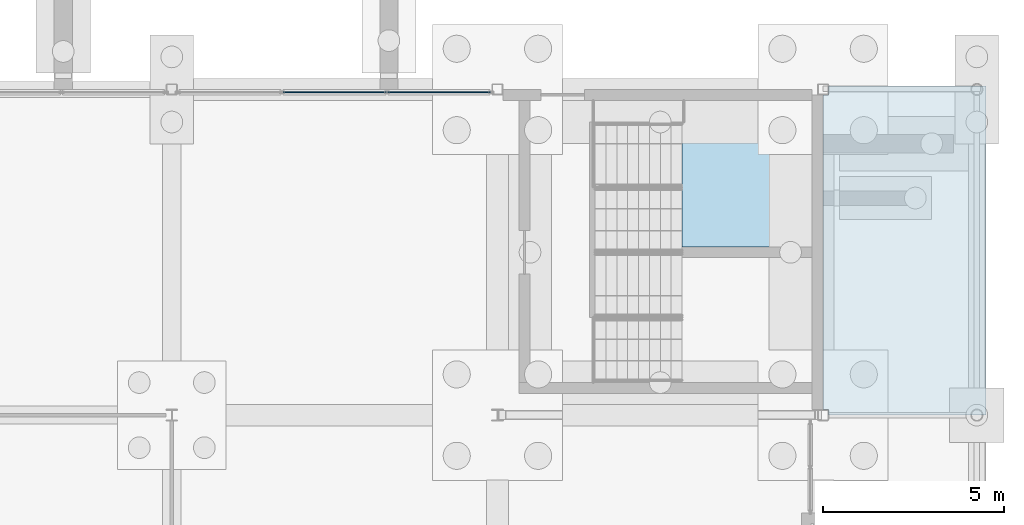
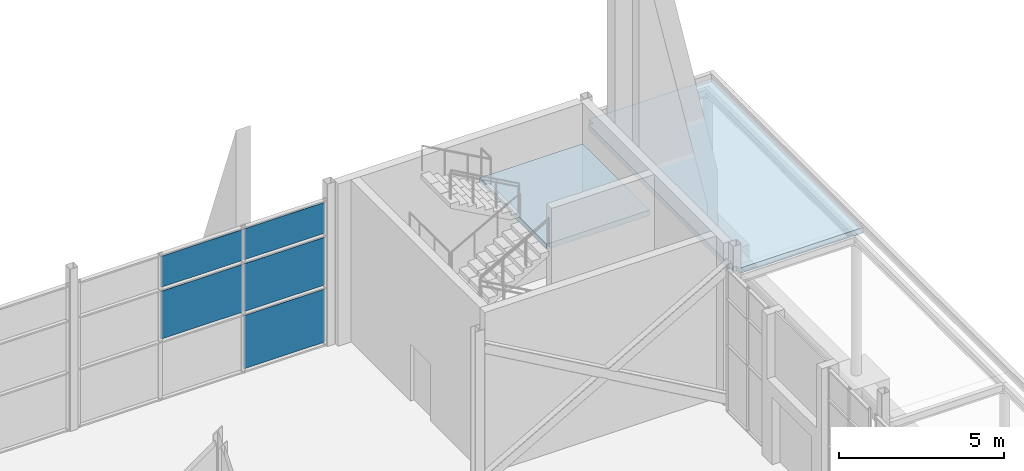
# One storey, part 96 of 139: 5 plates, 2 slabs, 2 elements without a shape of their own.
"""IFC4 building model written with IfcOpenShell, lengths in metres."""

from ifc_helpers import new_model, si_unit, direction, frame, origin, origin_2d, place, context, subcontext, project, spatial, polyline, rectangle, outline, extrude, material, layer, layer_set, type_object, element, aggregate, save


model = new_model("IFC4")

# Units and contexts
model_context = context("Model", 3, precision=1e-05, world=origin(), true_north=direction((0.0, 1.0)))
body_context = subcontext(model_context, "Body", "Model", "MODEL_VIEW")
ifc_project = project(units=[si_unit("LENGTHUNIT", "METRE"), si_unit("AREAUNIT", "SQUARE_METRE"), si_unit("VOLUMEUNIT", "CUBIC_METRE"), si_unit("PLANEANGLEUNIT", "RADIAN"), si_unit("MASSUNIT", "GRAM", prefix="KILO")], contexts=[model_context])

# Site, building, storey
site_placement = place(None, origin())
site = spatial("IfcSite", under=ifc_project, at=site_placement, CompositionType="ELEMENT")
building_placement = place(site_placement, origin())
building = spatial("IfcBuilding", under=site, at=building_placement, Name="Shorebreak Coast Museum", CompositionType="ELEMENT")
storey_placement = place(building_placement, origin())
storey = spatial("IfcBuildingStorey", under=building, at=storey_placement, Name="L00", CompositionType="ELEMENT", Elevation=0.0)

# Slab
ifc_material_1 = material(Name="Concrete N50 (50 MPa)", Category="concrete")
ifc_layer_1 = layer(ifc_material_1, 0.199951171875)
ifc_layer_set_1 = layer_set([ifc_layer_1], Name="Concrete N50 (50 MPa)")
slab_type_1 = type_object("IfcSlabType", Name="Arcade roof slab 200 concrete N50", PredefinedType="ROOF", material=ifc_layer_set_1)
slab_1_placement = place(storey_placement, frame((0.0, 0.0, 4.800048828125)))
element("IfcSlab", 1, at=slab_1_placement, inside=storey, type_object=slab_type_1, Name="Arcade roof slab east 4", PredefinedType="ROOF", context=body_context, shape_type="SweptSolid", body=[
    extrude(outline(polyline([(175.5, 81.0), (175.5, 90.10009765625), (171.14990234375, 90.10009765625), (171.14990234375, 89.85009765625), (171.0, 89.85009765625), (171.0, 81.14990234375), (171.14990234375, 81.14990234375), (171.14990234375, 81.0), (175.5, 81.0)])), origin(), (0.0, 0.0, 1.0), 0.199951171875),
])

# Stair, slab
ifc_material_2 = material(Name="Concrete N40 (40 MPa)", Category="concrete")
stair_type = type_object("IfcStairType", Name="Stair run 6 m", PredefinedType="DOUBLE_RETURN_STAIR", material=ifc_material_2)
stair_placement = place(storey_placement, origin())
stair = element("IfcStair", 2, at=stair_placement, inside=storey, type_object=stair_type, Name="Exit stair ST08-L00", PredefinedType="DOUBLE_RETURN_STAIR")
ifc_material_3 = material(Name="Concrete N40 (40 MPa)", Category="concrete")
ifc_layer_2 = layer(ifc_material_3, 0.199951171875)
ifc_layer_set_2 = layer_set([ifc_layer_2], Name="Concrete N40 (40 MPa)")
slab_type_2 = type_object("IfcSlabType", Name="Stair landing 200", PredefinedType="LANDING", material=ifc_layer_set_2)
slab_2_placement = place(storey_placement, frame((0.0, 0.0, 4.300048828125)))
slab_2 = element("IfcSlab", 3, at=slab_2_placement, type_object=slab_type_2, Name="ST08-L00 landing 3", PredefinedType="LANDING", context=body_context, shape_type="SweptSolid", body=[
    extrude(outline(polyline([(167.10009765625, 85.64990234375), (170.699951171875, 85.64990234375), (170.699951171875, 89.699951171875), (167.10009765625, 89.699951171875), (167.10009765625, 85.64990234375)])), origin(), (0.0, 0.0, 1.0), 0.199951171875),
])
aggregate(stair, [slab_2])

# Curtain wall, plates
ifc_material_4 = material(Name="Aluminium", Category="aluminium")
ifc_layer_3 = layer(ifc_material_4, 0.14990234375)
ifc_layer_set_3 = layer_set([ifc_layer_3], Name="Aluminium")
curtain_wall_type = type_object("IfcCurtainWallType", Name="Storefront curtain wall", PredefinedType="NOTDEFINED", material=ifc_layer_set_3)
curtain_wall_placement = place(storey_placement, origin())
curtain_wall = element("IfcCurtainWall", 4, at=curtain_wall_placement, inside=storey, type_object=curtain_wall_type, Name="Storefront L00 N 6", PredefinedType="NOTDEFINED")
ifc_material_5 = material(Name="Glass", Category="glass")
ifc_layer_4 = layer(ifc_material_5, 0.031982421875)
ifc_layer_set_4 = layer_set([ifc_layer_4], Name="Glass")
plate_type = type_object("IfcPlateType", Name="Storefront glass panel 32", PredefinedType="CURTAIN_PANEL", material=ifc_layer_set_4)
plate_1_placement = place(storey_placement, frame((157.5, 89.925048828125, 2.262939453125), z_axis=(0.0, 0.0, 1.0), x_axis=(1.0, 0.0, 0.0)))
plate_1 = element("IfcPlate", 5, at=plate_1_placement, type_object=plate_type, Name="CW8 panel 2.2", PredefinedType="CURTAIN_PANEL", context=body_context, shape_type="SweptSolid", body=[
    extrude(rectangle(XDim=2.85009765625, YDim=0.031982421875, at=origin_2d()), origin(), (0.0, 0.0, 1.0), 1.76416015625),
])
plate_2_placement = place(storey_placement, frame((157.5, 89.925048828125, 4.17724609375), z_axis=(0.0, 0.0, 1.0), x_axis=(1.0, 0.0, 0.0)))
plate_2 = element("IfcPlate", 6, at=plate_2_placement, type_object=plate_type, Name="CW8 panel 2.3", PredefinedType="CURTAIN_PANEL", context=body_context, shape_type="SweptSolid", body=[
    extrude(rectangle(XDim=2.85009765625, YDim=0.031982421875, at=origin_2d()), origin(), (0.0, 0.0, 1.0), 1.142333984375),
])
plate_3_placement = place(storey_placement, frame((160.387451171875, 89.925048828125, 0.14990234375), z_axis=(0.0, 0.0, 1.0), x_axis=(1.0, 0.0, 0.0)))
plate_3 = element("IfcPlate", 7, at=plate_3_placement, type_object=plate_type, Name="CW8 panel 3.1", PredefinedType="CURTAIN_PANEL", context=body_context, shape_type="SweptSolid", body=[
    extrude(rectangle(XDim=2.824951171875, YDim=0.031982421875, at=origin_2d()), origin(), (0.0, 0.0, 1.0), 1.962890625),
])
plate_4_placement = place(storey_placement, frame((160.387451171875, 89.925048828125, 2.262939453125), z_axis=(0.0, 0.0, 1.0), x_axis=(1.0, 0.0, 0.0)))
plate_4 = element("IfcPlate", 8, at=plate_4_placement, type_object=plate_type, Name="CW8 panel 3.2", PredefinedType="CURTAIN_PANEL", context=body_context, shape_type="SweptSolid", body=[
    extrude(rectangle(XDim=2.824951171875, YDim=0.031982421875, at=origin_2d()), origin(), (0.0, 0.0, 1.0), 1.76416015625),
])
plate_5_placement = place(storey_placement, frame((160.387451171875, 89.925048828125, 4.17724609375), z_axis=(0.0, 0.0, 1.0), x_axis=(1.0, 0.0, 0.0)))
plate_5 = element("IfcPlate", 9, at=plate_5_placement, type_object=plate_type, Name="CW8 panel 3.3", PredefinedType="CURTAIN_PANEL", context=body_context, shape_type="SweptSolid", body=[
    extrude(rectangle(XDim=2.824951171875, YDim=0.031982421875, at=origin_2d()), origin(), (0.0, 0.0, 1.0), 1.142333984375),
])
aggregate(curtain_wall, [plate_1, plate_2, plate_3, plate_4, plate_5])

save(model, "model.ifc")
